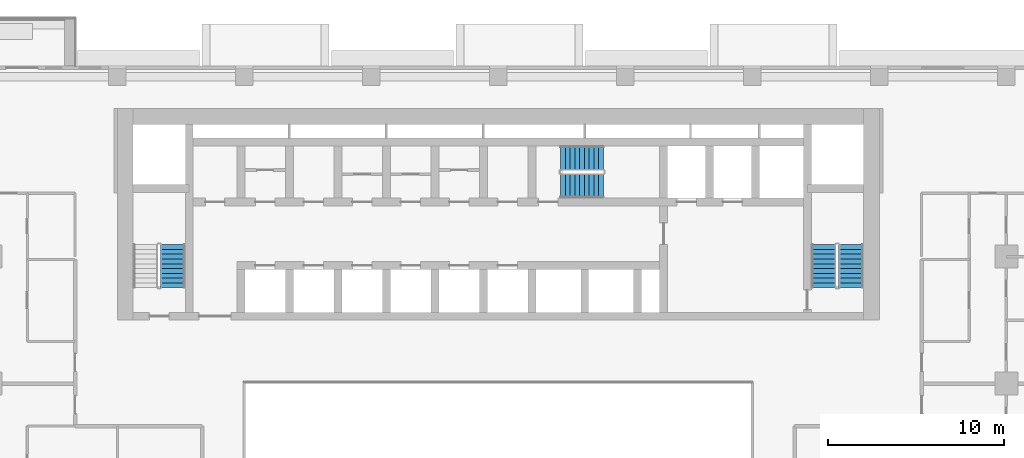
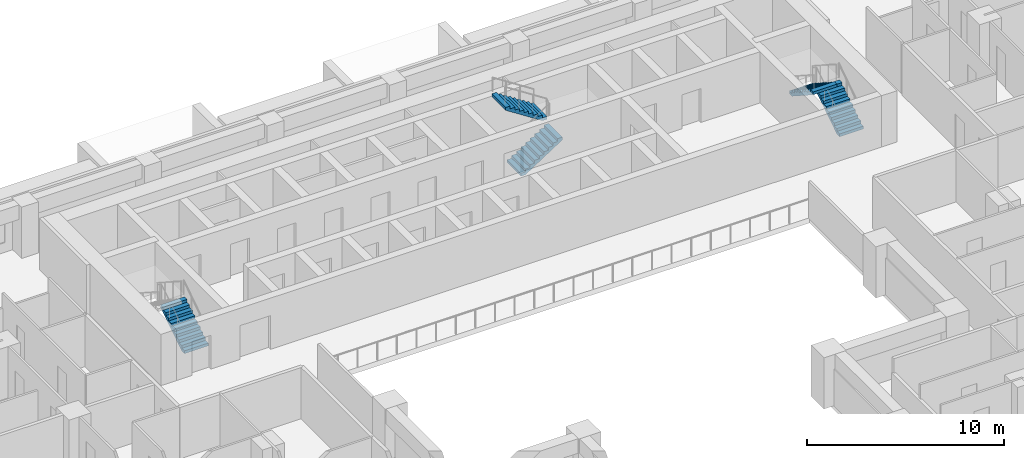
# One storey, part 13 of 17: 5 stair flights, 3 elements without a shape of their own.
"""IFC4 building model written with IfcOpenShell, lengths in metres."""

from ifc_helpers import new_model, si_unit, direction, frame, origin, place, context, subcontext, project, spatial, polyline, outline, extrude, material, layer, layer_set, type_object, element, aggregate, save


model = new_model("IFC4")

# Units and contexts
model_context = context("Model", 3, precision=1e-05, world=origin(), true_north=direction((0.0, 1.0)))
body_context = subcontext(model_context, "Body", "Model", "MODEL_VIEW")
ifc_project = project(units=[si_unit("LENGTHUNIT", "METRE"), si_unit("AREAUNIT", "SQUARE_METRE"), si_unit("VOLUMEUNIT", "CUBIC_METRE"), si_unit("PLANEANGLEUNIT", "RADIAN"), si_unit("MASSUNIT", "GRAM", prefix="KILO")], contexts=[model_context])

# Site, building, storey
site_placement = place(None, origin())
site = spatial("IfcSite", under=ifc_project, at=site_placement, CompositionType="ELEMENT")
building_placement = place(site_placement, origin())
building = spatial("IfcBuilding", under=site, at=building_placement, Name="Saffron Iwan Residences", CompositionType="ELEMENT")
storey_placement = place(building_placement, frame((0.0, 0.0, 79.5)))
storey = spatial("IfcBuildingStorey", under=building, at=storey_placement, Name="L20", CompositionType="ELEMENT", Elevation=79.5)

# Stair, stair flight
ifc_material = material(Name="Concrete C50/60", Category="concrete")
stair_type = type_object("IfcStairType", Name="Stair ST-CORE", PredefinedType="HALF_TURN_STAIR", material=ifc_material)
stair_1_placement = place(storey_placement, origin())
stair_1 = element("IfcStair", 1, at=stair_1_placement, inside=storey, type_object=stair_type, Name="L20 Exit Stair ST-W", PredefinedType="HALF_TURN_STAIR")
ifc_layer = layer(ifc_material, 0.14990234375)
ifc_layer_set = layer_set([ifc_layer], Name="Concrete C50/60")
stair_flight_type = type_object("IfcStairFlightType", Name="Stair flight SFL-RC", PredefinedType="STRAIGHT", material=ifc_layer_set)
stair_flight_1_placement = place(storey_placement, frame((31.949951171875, 67.85009765625, 0.0), z_axis=(0.0, 0.0, 1.0), x_axis=(0.0, 1.0, 0.0)))
stair_flight_1 = element("IfcStairFlight", 2, at=stair_flight_1_placement, type_object=stair_flight_type, Name="ST-W flight 1", NumberOfRisers=10, NumberOfTreads=9, PredefinedType="STRAIGHT", RiserHeight=0.175, TreadLength=0.27, context=body_context, shape_type="SweptSolid", body=[
    extrude(outline(polyline([(0.0, 0.0), (0.0, 0.175048828125), (0.27001953125, 0.175048828125), (0.27001953125, 0.35009765625), (0.5400390625, 0.35009765625), (0.5400390625, 0.52490234375), (0.81005859375, 0.52490234375), (0.81005859375, 0.699951171875), (1.080078125, 0.699951171875), (1.080078125, 0.875), (1.35009765625, 0.875), (1.35009765625, 1.050048828125), (1.6201171875, 1.050048828125), (1.6201171875, 1.22509765625), (1.889892578125, 1.22509765625), (1.889892578125, 1.39990234375), (2.159912109375, 1.39990234375), (2.159912109375, 1.574951171875), (2.429931640625, 1.574951171875), (2.429931640625, 1.75), (2.429931640625, 1.396484375), (0.275634765625, 0.0), (0.0, 0.0)])), frame((0.0, 0.699951171875, 0.0), z_axis=(0.0, -1.0, 0.0), x_axis=(1.0, 0.0, 0.0)), (0.0, 0.0, 1.0), 1.39990234375),
])
aggregate(stair_1, [stair_flight_1])

# Stair, stair flights
stair_2_placement = place(storey_placement, origin())
stair_2 = element("IfcStair", 3, at=stair_2_placement, inside=storey, type_object=stair_type, Name="L20 Exit Stair ST-C", PredefinedType="HALF_TURN_STAIR")
stair_flight_2_placement = place(storey_placement, frame((53.925048828125, 73.625, 0.0), z_axis=(0.0, 0.0, 1.0), x_axis=(1.0, 0.0, 0.0)))
stair_flight_2 = element("IfcStairFlight", 4, at=stair_flight_2_placement, type_object=stair_flight_type, Name="ST-C flight 1", NumberOfRisers=10, NumberOfTreads=9, PredefinedType="STRAIGHT", RiserHeight=0.175, TreadLength=0.27, context=body_context, shape_type="SweptSolid", body=[
    extrude(outline(polyline([(0.0, 0.0), (0.0, 0.175048828125), (0.27001953125, 0.175048828125), (0.27001953125, 0.35009765625), (0.5400390625, 0.35009765625), (0.5400390625, 0.52490234375), (0.81005859375, 0.52490234375), (0.81005859375, 0.699951171875), (1.080078125, 0.699951171875), (1.080078125, 0.875), (1.35009765625, 0.875), (1.35009765625, 1.050048828125), (1.6201171875, 1.050048828125), (1.6201171875, 1.22509765625), (1.889892578125, 1.22509765625), (1.889892578125, 1.39990234375), (2.159912109375, 1.39990234375), (2.159912109375, 1.574951171875), (2.429931640625, 1.574951171875), (2.429931640625, 1.75), (2.429931640625, 1.396484375), (0.275634765625, 0.0), (0.0, 0.0)])), frame((0.0, 0.699951171875, 0.0), z_axis=(0.0, -1.0, 0.0), x_axis=(1.0, 0.0, 0.0)), (0.0, 0.0, 1.0), 1.39990234375),
])
stair_flight_3_placement = place(storey_placement, frame((56.35498046875, 75.175048828125, 1.75), z_axis=(0.0, 0.0, 1.0), x_axis=(-1.0, 0.0, 0.0)))
stair_flight_3 = element("IfcStairFlight", 5, at=stair_flight_3_placement, type_object=stair_flight_type, Name="ST-C flight 2", NumberOfRisers=10, NumberOfTreads=9, PredefinedType="STRAIGHT", RiserHeight=0.175, TreadLength=0.27, context=body_context, shape_type="SweptSolid", body=[
    extrude(outline(polyline([(0.0, 0.0), (0.0, 0.175048828125), (0.27001953125, 0.175048828125), (0.27001953125, 0.35009765625), (0.5400390625, 0.35009765625), (0.5400390625, 0.52490234375), (0.81005859375, 0.52490234375), (0.81005859375, 0.699951171875), (1.080078125, 0.699951171875), (1.080078125, 0.875), (1.35009765625, 0.875), (1.35009765625, 1.050048828125), (1.6201171875, 1.050048828125), (1.6201171875, 1.22509765625), (1.889892578125, 1.22509765625), (1.889892578125, 1.39990234375), (2.159912109375, 1.39990234375), (2.159912109375, 1.574951171875), (2.429931640625, 1.574951171875), (2.429931640625, 1.75), (2.429931640625, 1.396484375), (0.275634765625, 0.0), (0.0, 0.0)])), frame((0.0, 0.699951171875, 0.0), z_axis=(0.0, -1.0, 0.0), x_axis=(1.0, 0.0, 0.0)), (0.0, 0.0, 1.0), 1.39990234375),
])
aggregate(stair_2, [stair_flight_2, stair_flight_3])

stair_3_placement = place(storey_placement, origin())
stair_3 = element("IfcStair", 6, at=stair_3_placement, inside=storey, type_object=stair_type, Name="L20 Exit Stair ST-E", PredefinedType="HALF_TURN_STAIR")
stair_flight_4_placement = place(storey_placement, frame((70.39990234375, 67.85009765625, 0.0), z_axis=(0.0, 0.0, 1.0), x_axis=(0.0, 1.0, 0.0)))
stair_flight_4 = element("IfcStairFlight", 7, at=stair_flight_4_placement, type_object=stair_flight_type, Name="ST-E flight 1", NumberOfRisers=10, NumberOfTreads=9, PredefinedType="STRAIGHT", RiserHeight=0.175, TreadLength=0.27, context=body_context, shape_type="SweptSolid", body=[
    extrude(outline(polyline([(0.0, 0.0), (0.0, 0.175048828125), (0.27001953125, 0.175048828125), (0.27001953125, 0.35009765625), (0.5400390625, 0.35009765625), (0.5400390625, 0.52490234375), (0.81005859375, 0.52490234375), (0.81005859375, 0.699951171875), (1.080078125, 0.699951171875), (1.080078125, 0.875), (1.35009765625, 0.875), (1.35009765625, 1.050048828125), (1.6201171875, 1.050048828125), (1.6201171875, 1.22509765625), (1.889892578125, 1.22509765625), (1.889892578125, 1.39990234375), (2.159912109375, 1.39990234375), (2.159912109375, 1.574951171875), (2.429931640625, 1.574951171875), (2.429931640625, 1.75), (2.429931640625, 1.396484375), (0.275634765625, 0.0), (0.0, 0.0)])), frame((0.0, 0.699951171875, 0.0), z_axis=(0.0, -1.0, 0.0), x_axis=(1.0, 0.0, 0.0)), (0.0, 0.0, 1.0), 1.39990234375),
])
stair_flight_5_placement = place(storey_placement, frame((68.85009765625, 70.280029296875, 1.75), z_axis=(0.0, 0.0, 1.0), x_axis=(0.0, -1.0, 0.0)))
stair_flight_5 = element("IfcStairFlight", 8, at=stair_flight_5_placement, type_object=stair_flight_type, Name="ST-E flight 2", NumberOfRisers=10, NumberOfTreads=9, PredefinedType="STRAIGHT", RiserHeight=0.175, TreadLength=0.27, context=body_context, shape_type="SweptSolid", body=[
    extrude(outline(polyline([(0.0, 0.0), (0.0, 0.175048828125), (0.27001953125, 0.175048828125), (0.27001953125, 0.35009765625), (0.5400390625, 0.35009765625), (0.5400390625, 0.52490234375), (0.81005859375, 0.52490234375), (0.81005859375, 0.699951171875), (1.080078125, 0.699951171875), (1.080078125, 0.875), (1.35009765625, 0.875), (1.35009765625, 1.050048828125), (1.6201171875, 1.050048828125), (1.6201171875, 1.22509765625), (1.889892578125, 1.22509765625), (1.889892578125, 1.39990234375), (2.159912109375, 1.39990234375), (2.159912109375, 1.574951171875), (2.429931640625, 1.574951171875), (2.429931640625, 1.75), (2.429931640625, 1.396484375), (0.275634765625, 0.0), (0.0, 0.0)])), frame((0.0, 0.699951171875, 0.0), z_axis=(0.0, -1.0, 0.0), x_axis=(1.0, 0.0, 0.0)), (0.0, 0.0, 1.0), 1.39990234375),
])
aggregate(stair_3, [stair_flight_4, stair_flight_5])

save(model, "model.ifc")
